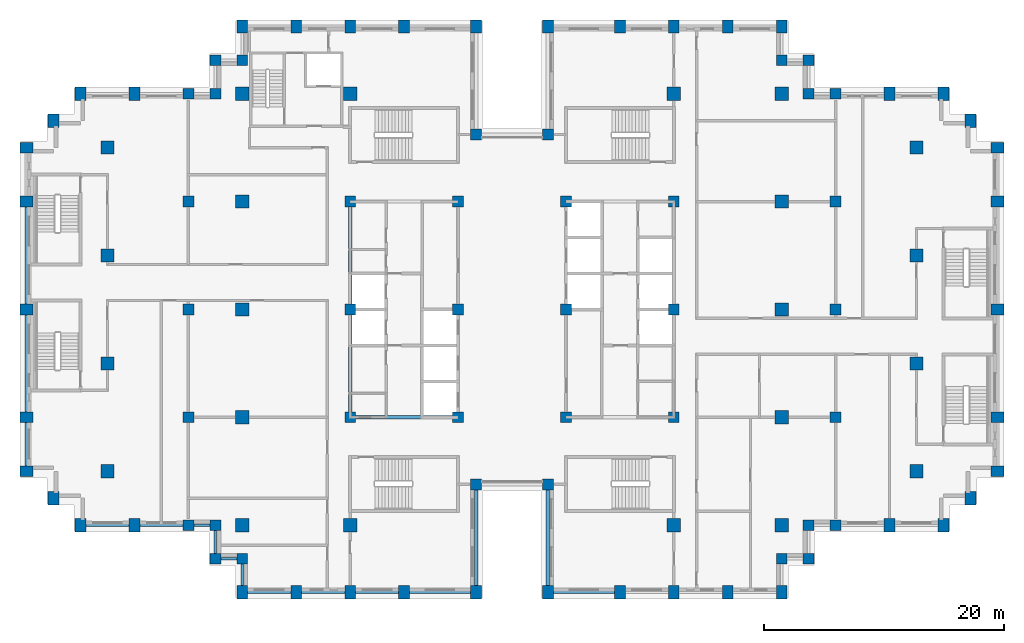
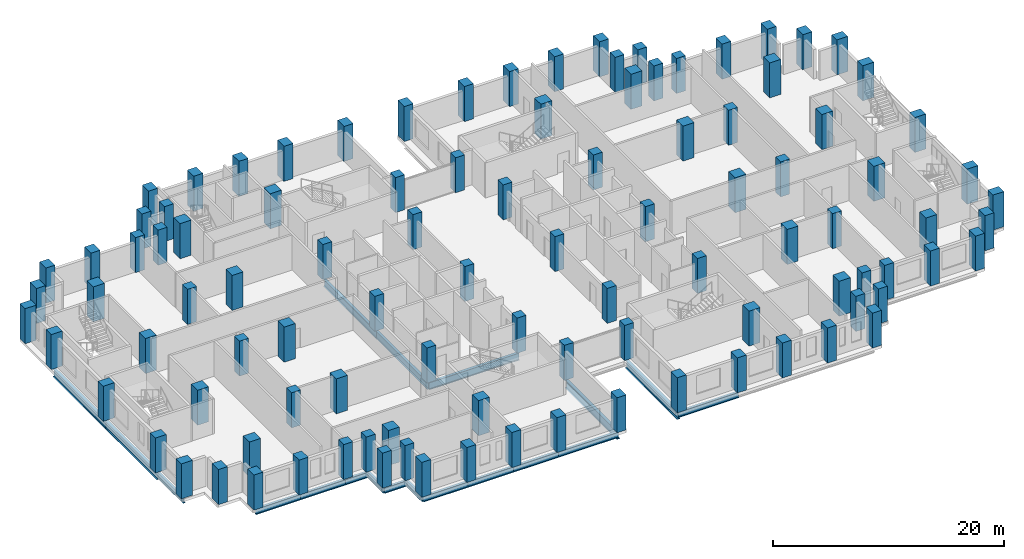
# One storey, part 1 of 15: 102 columns, 19 beams.
"""IFC4 building model written with IfcOpenShell, lengths in metres."""

import ifcopenshell
import ifcopenshell.guid

model = None  # the IFC model being written
_history = None  # IfcOwnerHistory: only IFC2X3 demands one
_inside = {}  # id of a spatial element -> (the spatial element, [elements in it])
_under = {}  # id of a project, library or spatial element -> (it, [spatial elements below it])
_declared = {}  # id of a project -> (the project, [libraries it declares])
_typed = {}  # id of a type object -> (the type object, [elements of that type])
_made_of = {}  # id of a material, layer set ... -> (it, [elements and type objects made of it])


def new_model(schema):
    """Start an empty IFC model of exactly this schema.

    Asked for "IFC4X3", IfcOpenShell would pick the latest addendum, in which some entities
    have other attributes; the version numbers below select the first issue.
    IFC2X3 requires an IfcOwnerHistory on every rooted entity: one is made here for all.
    """
    global model, _history
    if schema == "IFC4X3":
        model = ifcopenshell.file(schema_version=(4, 3, 0, 0))
    else:
        model = ifcopenshell.file(schema=schema)
    _inside.clear()
    _under.clear()
    _declared.clear()
    _typed.clear()
    _made_of.clear()
    _history = None
    if model.schema == "IFC2X3":
        org = make("IfcOrganization", Name="unknown")
        user = make(
            "IfcPersonAndOrganization",
            ThePerson=make("IfcPerson", FamilyName="unknown"),
            TheOrganization=org,
        )
        app = make(
            "IfcApplication",
            ApplicationDeveloper=org,
            Version="unknown",
            ApplicationFullName="unknown",
            ApplicationIdentifier="unknown",
        )
        _history = make(
            "IfcOwnerHistory",
            OwningUser=user,
            OwningApplication=app,
            ChangeAction="ADDED",
            CreationDate=0,
        )
    return model


def make(cls, **values):
    """One entity of the class cls with the attributes given. An attribute that is None is left unset."""
    return model.create_entity(
        cls, **{name: value for name, value in values.items() if value is not None}
    )


def rooted(cls, **values):
    """An entity with a GlobalId (a new one), such as an element, a storey or a relation."""
    return make(cls, GlobalId=ifcopenshell.guid.new(), OwnerHistory=_history, **values)


def si_unit(unit_type, name, prefix=None):
    """IfcSIUnit, for example si_unit("LENGTHUNIT", "METRE", prefix="MILLI")."""
    return make("IfcSIUnit", UnitType=unit_type, Prefix=prefix, Name=name)


def assignment(units):
    """IfcUnitAssignment: the units of a project."""
    return None if units is None else make("IfcUnitAssignment", Units=units)


def point(xyz):
    """IfcCartesianPoint."""
    return None if xyz is None else make("IfcCartesianPoint", Coordinates=xyz)


def direction(xyz):
    """IfcDirection."""
    return None if xyz is None else make("IfcDirection", DirectionRatios=xyz)


def frame(location, z_axis=None, x_axis=None):
    """IfcAxis2Placement3D, a coordinate frame: its origin and axes. An axis left out is left unset."""
    return make(
        "IfcAxis2Placement3D",
        Location=point(location),
        Axis=direction(z_axis),
        RefDirection=direction(x_axis),
    )


def frame_2d(location, x_axis=None):
    """IfcAxis2Placement2D, a coordinate frame in the plane: its origin and x axis."""
    return make(
        "IfcAxis2Placement2D", Location=point(location), RefDirection=direction(x_axis)
    )


def origin():
    """The frame at (0, 0, 0) with its axes left unset."""
    return frame((0.0, 0.0, 0.0))


def origin_2d():
    """The frame at (0, 0) in the plane with its x axis left unset."""
    return frame_2d((0.0, 0.0))


def place(relative_to, where):
    """IfcLocalPlacement: puts the frame where relative to a parent placement (None: the world)."""
    return make(
        "IfcLocalPlacement", PlacementRelTo=relative_to, RelativePlacement=where
    )


def context(
    kind, dimensions, precision=None, world=None, true_north=None, identifier=None
):
    """IfcGeometricRepresentationContext, for example the 3D "Model" context."""
    return make(
        "IfcGeometricRepresentationContext",
        ContextIdentifier=identifier,
        ContextType=kind,
        CoordinateSpaceDimension=dimensions,
        Precision=precision,
        WorldCoordinateSystem=world,
        TrueNorth=true_north,
    )


def subcontext(parent, identifier, kind, view, scale=None):
    """IfcGeometricRepresentationSubContext, for example "Body" below "Model"."""
    return make(
        "IfcGeometricRepresentationSubContext",
        ContextIdentifier=identifier,
        ContextType=kind,
        ParentContext=parent,
        TargetScale=scale,
        TargetView=view,
    )


def project(units=None, contexts=None):
    """IfcProject with its units and contexts."""
    return rooted(
        "IfcProject",
        Name="project",
        RepresentationContexts=contexts,
        UnitsInContext=assignment(units),
    )


def spatial(cls, under=None, at=None, **own):
    """A site, building, storey or space (cls), placed at a placement, below another one or the project."""
    s = rooted(cls, ObjectPlacement=at, **own)
    if under is not None:
        _under.setdefault(under.id(), (under, []))[1].append(s)
    return s


def profile(cls, at=None, kind="AREA", **sizes):
    """A parametric profile (cls). Its sizes go by their IFC names, for example OverallWidth=200.0."""
    return make(cls, ProfileType=kind, Position=at, **sizes)


def rectangle(**sizes):
    """IfcRectangleProfileDef."""
    return profile("IfcRectangleProfileDef", **sizes)


def i_section(**sizes):
    """IfcIShapeProfileDef."""
    return profile("IfcIShapeProfileDef", **sizes)


def extrude(swept, where, along, depth):
    """IfcExtrudedAreaSolid: the profile swept, set in the frame where, extruded along a direction by depth."""
    return make(
        "IfcExtrudedAreaSolid",
        SweptArea=swept,
        Position=where,
        ExtrudedDirection=direction(along),
        Depth=depth,
    )


def shape(context_of_items, identifier, shape_type, items):
    """IfcShapeRepresentation: the items that make up one representation, for example the "Body"."""
    return make(
        "IfcShapeRepresentation",
        ContextOfItems=context_of_items,
        RepresentationIdentifier=identifier,
        RepresentationType=shape_type,
        Items=items,
    )


def material(Name=None, Category=None):
    """IfcMaterial."""
    return make("IfcMaterial", Name=Name, Category=Category)


def material_profile(
    of_material, cross_section, Name=None, Category=None, Priority=None
):
    """IfcMaterialProfile: a cross section and its material."""
    return make(
        "IfcMaterialProfile",
        Name=Name,
        Material=of_material,
        Profile=cross_section,
        Priority=Priority,
        Category=Category,
    )


def profile_set(profiles, Name=None, composite=None):
    """IfcMaterialProfileSet."""
    return make(
        "IfcMaterialProfileSet",
        Name=Name,
        MaterialProfiles=profiles,
        CompositeProfile=composite,
    )


def made_of(thing, what):
    """Note that an element or type object is made of a material, layer set ...; save() writes the relation."""
    if what is not None:
        _made_of.setdefault(what.id(), (what, []))[1].append(thing)
    return thing


def type_object(cls, material=None, **own):
    """A type object (cls), such as IfcWallType, which elements share."""
    return made_of(rooted(cls, **own), material)


def element(
    cls,
    number,
    at=None,
    inside=None,
    cuts=None,
    type_object=None,
    material=None,
    context=None,
    identifier="Body",
    shape_type=None,
    held_by="IfcProductDefinitionShape",
    body=None,
    shapes=None,
    **own,
):
    """One element of the class cls, such as IfcWall. Its Tag is "e" and its number.

    at: its placement. inside: the storey or other place that contains it. cuts: it is an
    opening in that element (IfcRelVoidsElement). A single representation is given by context,
    identifier, shape_type and body (its items); several are given by shapes. held_by: the class
    of the entity that holds the representations. save() writes the other relations.
    """
    e = rooted(cls, Tag="e%d" % number, ObjectPlacement=at, **own)
    if body is not None:
        shapes = [shape(context, identifier, shape_type, body)]
    if shapes is not None:
        e.Representation = make(held_by, Representations=shapes)
    if inside is not None:
        _inside.setdefault(inside.id(), (inside, []))[1].append(e)
    if cuts is not None:
        rooted(
            "IfcRelVoidsElement", RelatingBuildingElement=cuts, RelatedOpeningElement=e
        )
    if type_object is not None:
        _typed.setdefault(type_object.id(), (type_object, []))[1].append(e)
    return made_of(e, material)


def aggregate(whole, parts):
    """IfcRelAggregates: a whole, such as a stair, and the parts it consists of."""
    return rooted("IfcRelAggregates", RelatingObject=whole, RelatedObjects=parts)


def save(model, path):
    """Write the relations noted so far, then the file.

    IfcRelAggregates (storeys below a building ...), IfcRelContainedInSpatialStructure (elements
    in a storey), IfcRelDefinesByType, IfcRelAssociatesMaterial and IfcRelDeclares: one each for
    every whole, place, type object, material and project.
    """
    for whole, parts in _under.values():
        aggregate(whole, parts)
    for where, things in _inside.values():
        rooted(
            "IfcRelContainedInSpatialStructure",
            RelatedElements=things,
            RelatingStructure=where,
        )
    for kind, things in _typed.values():
        rooted("IfcRelDefinesByType", RelatedObjects=things, RelatingType=kind)
    for what, things in _made_of.values():
        rooted("IfcRelAssociatesMaterial", RelatedObjects=things, RelatingMaterial=what)
    for by, libraries in _declared.values():
        rooted("IfcRelDeclares", RelatingContext=by, RelatedDefinitions=libraries)
    model.write(path)


model = new_model("IFC4")

# Units and contexts
model_context = context("Model", 3, precision=1e-05, world=origin(), true_north=direction((0.0, 1.0)))
body_context = subcontext(model_context, "Body", "Model", "MODEL_VIEW")
ifc_project = project(units=[si_unit("LENGTHUNIT", "METRE"), si_unit("AREAUNIT", "SQUARE_METRE"), si_unit("VOLUMEUNIT", "CUBIC_METRE"), si_unit("PLANEANGLEUNIT", "RADIAN"), si_unit("MASSUNIT", "GRAM", prefix="KILO")], contexts=[model_context])

# Site, building, storey
site_placement = place(None, origin())
site = spatial("IfcSite", under=ifc_project, at=site_placement, CompositionType="ELEMENT")
building_placement = place(site_placement, origin())
building = spatial("IfcBuilding", under=site, at=building_placement, Name="Corbelhall Arena Tower", CompositionType="ELEMENT")
storey_placement = place(building_placement, frame((0.0, 0.0, 146.0)))
storey = spatial("IfcBuildingStorey", under=building, at=storey_placement, Name="L28", CompositionType="ELEMENT", Elevation=146.0)

# Columns
ifc_material_1 = material(Name="Concrete C80/95", Category="concrete")
ifc_material_profile_1 = material_profile(ifc_material_1, rectangle(XDim=1.10009765625, YDim=1.10009765625, at=origin_2d()))
ifc_profile_set_1 = profile_set([ifc_material_profile_1], Name="Concrete C80/95")
column_type_1 = type_object("IfcColumnType", Name="ST-COL-RC 1100x1100", PredefinedType="COLUMN", material=ifc_profile_set_1)
for number, where, z_axis, x_axis, name in (
    (1, (-33.75, 4.5, 0.0), (0.0, 0.0, 1.0), (1.0, 0.0, 0.0), "Column FIC+0450"),
    (2, (-33.75, 13.5, 0.0), (0.0, 0.0, 1.0), (1.0, 0.0, 0.0), "Column FIC+1350"),
    (3, (-33.75, -4.5, 0.0), (0.0, 0.0, 1.0), (1.0, 0.0, 0.0), "Column FIC-0450"),
    (4, (-33.75, -13.5, 0.0), (0.0, 0.0, 1.0), (1.0, 0.0, 0.0), "Column FIC-1350"),
    (5, (33.75, 4.5, 0.0), (0.0, 0.0, 1.0), (1.0, 0.0, 0.0), "Column FID+0450"),
    (6, (33.75, 13.5, 0.0), (0.0, 0.0, 1.0), (1.0, 0.0, 0.0), "Column FID+1350"),
    (7, (33.75, -4.5, 0.0), (0.0, 0.0, 1.0), (1.0, 0.0, 0.0), "Column FID-0450"),
    (8, (33.75, -13.5, 0.0), (0.0, 0.0, 1.0), (1.0, 0.0, 0.0), "Column FID-1350"),
    (9, (13.5, 18.0, 0.0), (0.0, 0.0, 1.0), (1.0, 0.0, 0.0), "Column IE13+1800"),
    (10, (13.5, -18.0, 0.0), (0.0, 0.0, 1.0), (1.0, 0.0, 0.0), "Column IE13-1800"),
    (11, (22.5, 0.0, 0.0), (0.0, 0.0, 1.0), (1.0, 0.0, 0.0), "Column IE22+0000"),
    (12, (22.5, 9.0, 0.0), (0.0, 0.0, 1.0), (1.0, 0.0, 0.0), "Column IE22+0900"),
    (13, (22.5, 18.0, 0.0), (0.0, 0.0, 1.0), (1.0, 0.0, 0.0), "Column IE22+1800"),
    (14, (22.5, -9.0, 0.0), (0.0, 0.0, 1.0), (1.0, 0.0, 0.0), "Column IE22-0900"),
    (15, (22.5, -18.0, 0.0), (0.0, 0.0, 1.0), (1.0, 0.0, 0.0), "Column IE22-1800"),
    (16, (-13.5, 18.0, 0.0), (0.0, 0.0, 1.0), (1.0, 0.0, 0.0), "Column IW13+1800"),
    (17, (-13.5, -18.0, 0.0), (0.0, 0.0, 1.0), (1.0, 0.0, 0.0), "Column IW13-1800"),
    (18, (-22.5, 0.0, 0.0), (0.0, 0.0, 1.0), (1.0, 0.0, 0.0), "Column IW22+0000"),
    (19, (-22.5, 9.0, 0.0), (0.0, 0.0, 1.0), (1.0, 0.0, 0.0), "Column IW22+0900"),
    (20, (-22.5, 18.0, 0.0), (0.0, 0.0, 1.0), (1.0, 0.0, 0.0), "Column IW22+1800"),
    (21, (-22.5, -9.0, 0.0), (0.0, 0.0, 1.0), (1.0, 0.0, 0.0), "Column IW22-0900"),
    (22, (-22.5, -18.0, 0.0), (0.0, 0.0, 1.0), (1.0, 0.0, 0.0), "Column IW22-1800"),
):
    element("IfcColumn", number, at=place(storey_placement, frame(where, z_axis=z_axis, x_axis=x_axis)), inside=storey, type_object=column_type_1, Name=name, PredefinedType="COLUMN", context=body_context, shape_type="SweptSolid", body=[
        extrude(rectangle(XDim=1.10009765625, YDim=1.10009765625, at=origin_2d()), origin(), (0.0, 0.0, 1.0), 3.699951171875),
    ])
ifc_material_profile_2 = material_profile(ifc_material_1, rectangle(XDim=0.89990234375, YDim=1.10009765625, at=origin_2d()))
ifc_profile_set_2 = profile_set([ifc_material_profile_2], Name="Concrete C80/95")
column_type_2 = type_object("IfcColumnType", Name="ST-COL-RC 900x1100", PredefinedType="COLUMN", material=ifc_profile_set_2)
for number, where, z_axis, x_axis, name in (
    (23, (-40.5, 0.0, 0.0), (0.0, 0.0, 1.0), (0.0, 1.0, 0.0), "Column FC+0000"),
    (24, (-40.5, 9.0, 0.0), (0.0, 0.0, 1.0), (0.0, 1.0, 0.0), "Column FC+0900"),
    (25, (-40.5, 13.5, 0.0), (0.0, 0.0, 1.0), (0.0, 1.0, 0.0), "Column FC+1350"),
    (26, (-40.5, -9.0, 0.0), (0.0, 0.0, 1.0), (0.0, 1.0, 0.0), "Column FC-0900"),
    (27, (-40.5, -13.5, 0.0), (0.0, 0.0, 1.0), (0.0, 1.0, 0.0), "Column FC-1350"),
    (28, (-38.25, 15.75, 0.0), (0.0, 0.0, 1.0), (1.0, 0.0, 0.0), "Column FCCN"),
    (29, (-38.25, -15.75, 0.0), (0.0, 0.0, 1.0), (1.0, 0.0, 0.0), "Column FCCS"),
    (30, (-31.5, 18.0, 0.0), (0.0, 0.0, 1.0), (1.0, 0.0, 0.0), "Column FCN3150"),
    (31, (-36.0, 18.0, 0.0), (0.0, 0.0, 1.0), (1.0, 0.0, 0.0), "Column FCN3600"),
    (32, (-31.5, -18.0, 0.0), (0.0, 0.0, 1.0), (1.0, 0.0, 0.0), "Column FCS3150"),
    (33, (-36.0, -18.0, 0.0), (0.0, 0.0, 1.0), (1.0, 0.0, 0.0), "Column FCS3600"),
    (34, (40.5, 0.0, 0.0), (0.0, 0.0, 1.0), (0.0, 1.0, 0.0), "Column FD+0000"),
    (35, (40.5, 9.0, 0.0), (0.0, 0.0, 1.0), (0.0, 1.0, 0.0), "Column FD+0900"),
    (36, (40.5, 13.5, 0.0), (0.0, 0.0, 1.0), (0.0, 1.0, 0.0), "Column FD+1350"),
    (37, (40.5, -9.0, 0.0), (0.0, 0.0, 1.0), (0.0, 1.0, 0.0), "Column FD-0900"),
    (38, (40.5, -13.5, 0.0), (0.0, 0.0, 1.0), (0.0, 1.0, 0.0), "Column FD-1350"),
    (39, (38.25, 15.75, 0.0), (0.0, 0.0, 1.0), (1.0, 0.0, 0.0), "Column FDCN"),
    (40, (38.25, -15.75, 0.0), (0.0, 0.0, 1.0), (1.0, 0.0, 0.0), "Column FDCS"),
    (41, (31.5, 18.0, 0.0), (0.0, 0.0, 1.0), (1.0, 0.0, 0.0), "Column FDN3150"),
    (42, (36.0, 18.0, 0.0), (0.0, 0.0, 1.0), (1.0, 0.0, 0.0), "Column FDN3600"),
    (43, (31.5, -18.0, 0.0), (0.0, 0.0, 1.0), (1.0, 0.0, 0.0), "Column FDS3150"),
    (44, (36.0, -18.0, 0.0), (0.0, 0.0, 1.0), (1.0, 0.0, 0.0), "Column FDS3600"),
    (45, (3.0, 23.60009765625, 0.0), (0.0, 0.0, 1.0), (1.0, 0.0, 0.0), "Column PNE0300"),
    (46, (9.0, 23.60009765625, 0.0), (0.0, 0.0, 1.0), (1.0, 0.0, 0.0), "Column PNE0900"),
    (47, (13.5, 23.60009765625, 0.0), (0.0, 0.0, 1.0), (1.0, 0.0, 0.0), "Column PNE1350"),
    (48, (18.0, 23.60009765625, 0.0), (0.0, 0.0, 1.0), (1.0, 0.0, 0.0), "Column PNE1800"),
    (49, (22.5, 23.60009765625, 0.0), (0.0, 0.0, 1.0), (1.0, 0.0, 0.0), "Column PNE2250"),
    (50, (-3.0, 23.60009765625, 0.0), (0.0, 0.0, 1.0), (1.0, 0.0, 0.0), "Column PNW0300"),
    (51, (-9.0, 23.60009765625, 0.0), (0.0, 0.0, 1.0), (1.0, 0.0, 0.0), "Column PNW0900"),
    (52, (-13.5, 23.60009765625, 0.0), (0.0, 0.0, 1.0), (1.0, 0.0, 0.0), "Column PNW1350"),
    (53, (-18.0, 23.60009765625, 0.0), (0.0, 0.0, 1.0), (1.0, 0.0, 0.0), "Column PNW1800"),
    (54, (-22.5, 23.60009765625, 0.0), (0.0, 0.0, 1.0), (1.0, 0.0, 0.0), "Column PNW2250"),
    (55, (3.0, -23.60009765625, 0.0), (0.0, 0.0, 1.0), (1.0, 0.0, 0.0), "Column PSE0300"),
    (56, (9.0, -23.60009765625, 0.0), (0.0, 0.0, 1.0), (1.0, 0.0, 0.0), "Column PSE0900"),
    (57, (13.5, -23.60009765625, 0.0), (0.0, 0.0, 1.0), (1.0, 0.0, 0.0), "Column PSE1350"),
    (58, (18.0, -23.60009765625, 0.0), (0.0, 0.0, 1.0), (1.0, 0.0, 0.0), "Column PSE1800"),
    (59, (22.5, -23.60009765625, 0.0), (0.0, 0.0, 1.0), (1.0, 0.0, 0.0), "Column PSE2250"),
    (60, (-3.0, -23.60009765625, 0.0), (0.0, 0.0, 1.0), (1.0, 0.0, 0.0), "Column PSW0300"),
    (61, (-9.0, -23.60009765625, 0.0), (0.0, 0.0, 1.0), (1.0, 0.0, 0.0), "Column PSW0900"),
    (62, (-13.5, -23.60009765625, 0.0), (0.0, 0.0, 1.0), (1.0, 0.0, 0.0), "Column PSW1350"),
    (63, (-18.0, -23.60009765625, 0.0), (0.0, 0.0, 1.0), (1.0, 0.0, 0.0), "Column PSW1800"),
    (64, (-22.5, -23.60009765625, 0.0), (0.0, 0.0, 1.0), (1.0, 0.0, 0.0), "Column PSW2250"),
):
    element("IfcColumn", number, at=place(storey_placement, frame(where, z_axis=z_axis, x_axis=x_axis)), inside=storey, type_object=column_type_2, Name=name, PredefinedType="COLUMN", context=body_context, shape_type="SweptSolid", body=[
        extrude(rectangle(XDim=0.89990234375, YDim=1.10009765625, at=origin_2d()), origin(), (0.0, 0.0, 1.0), 3.699951171875),
    ])
ifc_material_profile_3 = material_profile(ifc_material_1, rectangle(XDim=0.89990234375, YDim=0.89990234375, at=origin_2d()))
ifc_profile_set_3 = profile_set([ifc_material_profile_3], Name="Concrete C80/95")
column_type_3 = type_object("IfcColumnType", Name="ST-COL-RC 900x900", PredefinedType="COLUMN", material=ifc_profile_set_3)
for number, where, z_axis, x_axis, name in (
    (65, (4.5, 0.0, 0.0), (0.0, 0.0, 1.0), (1.0, 0.0, 0.0), "Column KE+0450+0000"),
    (66, (4.5, 9.0, 0.0), (0.0, 0.0, 1.0), (1.0, 0.0, 0.0), "Column KE+0450+0900"),
    (67, (4.5, -9.0, 0.0), (0.0, 0.0, 1.0), (1.0, 0.0, 0.0), "Column KE+0450-0900"),
    (68, (13.5, 0.0, 0.0), (0.0, 0.0, 1.0), (1.0, 0.0, 0.0), "Column KE+1350+0000"),
    (69, (13.5, 9.0, 0.0), (0.0, 0.0, 1.0), (1.0, 0.0, 0.0), "Column KE+1350+0900"),
    (70, (13.5, -9.0, 0.0), (0.0, 0.0, 1.0), (1.0, 0.0, 0.0), "Column KE+1350-0900"),
    (71, (-4.5, 0.0, 0.0), (0.0, 0.0, 1.0), (1.0, 0.0, 0.0), "Column KW-0450+0000"),
    (72, (-4.5, 9.0, 0.0), (0.0, 0.0, 1.0), (1.0, 0.0, 0.0), "Column KW-0450+0900"),
    (73, (-4.5, -9.0, 0.0), (0.0, 0.0, 1.0), (1.0, 0.0, 0.0), "Column KW-0450-0900"),
    (74, (-13.5, 0.0, 0.0), (0.0, 0.0, 1.0), (1.0, 0.0, 0.0), "Column KW-1350+0000"),
    (75, (-13.5, 9.0, 0.0), (0.0, 0.0, 1.0), (1.0, 0.0, 0.0), "Column KW-1350+0900"),
    (76, (-13.5, -9.0, 0.0), (0.0, 0.0, 1.0), (1.0, 0.0, 0.0), "Column KW-1350-0900"),
    (77, (27.0, 0.0, 0.0), (0.0, 0.0, 1.0), (1.0, 0.0, 0.0), "Column PE+0000"),
    (78, (27.0, 9.0, 0.0), (0.0, 0.0, 1.0), (1.0, 0.0, 0.0), "Column PE+0900"),
    (79, (27.0, 18.0, 0.0), (0.0, 0.0, 1.0), (1.0, 0.0, 0.0), "Column PE+1800"),
    (80, (27.0, -9.0, 0.0), (0.0, 0.0, 1.0), (1.0, 0.0, 0.0), "Column PE-0900"),
    (81, (27.0, -18.0, 0.0), (0.0, 0.0, 1.0), (1.0, 0.0, 0.0), "Column PE-1800"),
    (82, (-27.0, 0.0, 0.0), (0.0, 0.0, 1.0), (1.0, 0.0, 0.0), "Column PW+0000"),
    (83, (-27.0, 9.0, 0.0), (0.0, 0.0, 1.0), (1.0, 0.0, 0.0), "Column PW+0900"),
    (84, (-27.0, 18.0, 0.0), (0.0, 0.0, 1.0), (1.0, 0.0, 0.0), "Column PW+1800"),
    (85, (-27.0, -9.0, 0.0), (0.0, 0.0, 1.0), (1.0, 0.0, 0.0), "Column PW-0900"),
    (86, (-27.0, -18.0, 0.0), (0.0, 0.0, 1.0), (1.0, 0.0, 0.0), "Column PW-1800"),
    (87, (3.0, 14.60009765625, 0.0), (0.0, 0.0, 1.0), (1.0, 0.0, 0.0), "Column SLNE2"),
    (88, (-3.0, 14.60009765625, 0.0), (0.0, 0.0, 1.0), (1.0, 0.0, 0.0), "Column SLNW2"),
    (89, (3.0, -14.60009765625, 0.0), (0.0, 0.0, 1.0), (1.0, 0.0, 0.0), "Column SLSE2"),
    (90, (-3.0, -14.60009765625, 0.0), (0.0, 0.0, 1.0), (1.0, 0.0, 0.0), "Column SLSW2"),
    (91, (22.5, 20.800048828125, 0.0), (0.0, 0.0, 1.0), (1.0, 0.0, 0.0), "Column XNE1"),
    (92, (24.75, 20.800048828125, 0.0), (0.0, 0.0, 1.0), (1.0, 0.0, 0.0), "Column XNE2"),
    (93, (24.75, 18.0, 0.0), (0.0, 0.0, 1.0), (1.0, 0.0, 0.0), "Column XNE3"),
    (94, (-22.5, 20.800048828125, 0.0), (0.0, 0.0, 1.0), (1.0, 0.0, 0.0), "Column XNW1"),
    (95, (-24.75, 20.800048828125, 0.0), (0.0, 0.0, 1.0), (1.0, 0.0, 0.0), "Column XNW2"),
    (96, (-24.75, 18.0, 0.0), (0.0, 0.0, 1.0), (1.0, 0.0, 0.0), "Column XNW3"),
    (97, (22.5, -20.800048828125, 0.0), (0.0, 0.0, 1.0), (1.0, 0.0, 0.0), "Column XSE1"),
    (98, (24.75, -20.800048828125, 0.0), (0.0, 0.0, 1.0), (1.0, 0.0, 0.0), "Column XSE2"),
    (99, (24.75, -18.0, 0.0), (0.0, 0.0, 1.0), (1.0, 0.0, 0.0), "Column XSE3"),
    (100, (-22.5, -20.800048828125, 0.0), (0.0, 0.0, 1.0), (1.0, 0.0, 0.0), "Column XSW1"),
    (101, (-24.75, -20.800048828125, 0.0), (0.0, 0.0, 1.0), (1.0, 0.0, 0.0), "Column XSW2"),
    (102, (-24.75, -18.0, 0.0), (0.0, 0.0, 1.0), (1.0, 0.0, 0.0), "Column XSW3"),
):
    element("IfcColumn", number, at=place(storey_placement, frame(where, z_axis=z_axis, x_axis=x_axis)), inside=storey, type_object=column_type_3, Name=name, PredefinedType="COLUMN", context=body_context, shape_type="SweptSolid", body=[
        extrude(rectangle(XDim=0.89990234375, YDim=0.89990234375, at=origin_2d()), origin(), (0.0, 0.0, 1.0), 3.699951171875),
    ])

# Beams
ifc_material_2 = material(Name="Steel ASTM A992 Gr50", Category="steel")
ifc_material_profile_4 = material_profile(ifc_material_2, i_section(OverallWidth=0.2666015625, OverallDepth=0.761962890625, WebThickness=0.014404296875, FlangeThickness=0.021484375, at=origin_2d()))
ifc_profile_set_4 = profile_set([ifc_material_profile_4], Name="Steel ASTM A992 Gr50")
beam_type_1 = type_object("IfcBeamType", Name="ST-BEAM-W30x116", PredefinedType="BEAM", material=ifc_profile_set_4)
for number, where, z_axis, x_axis, name in (
    (103, (-13.5, -9.0, -0.680908203125), (0.0, 1.0, 0.0), (-1.0, 0.0, 0.0), "Beam CEW 1"),
    (104, (-13.5, 0.0, -0.680908203125), (0.0, 1.0, 0.0), (-1.0, 0.0, 0.0), "Beam CEW 2"),
    (105, (-13.5, -9.0, -0.680908203125), (1.0, 0.0, 0.0), (0.0, 1.0, 0.0), "Beam CEW 5"),
):
    element("IfcBeam", number, at=place(storey_placement, frame(where, z_axis=z_axis, x_axis=x_axis)), inside=storey, type_object=beam_type_1, Name=name, PredefinedType="BEAM", context=body_context, shape_type="SweptSolid", body=[
        extrude(i_section(OverallWidth=0.2666015625, OverallDepth=0.761962890625, WebThickness=0.014404296875, FlangeThickness=0.021484375, at=origin_2d()), origin(), (0.0, 0.0, 1.0), 9.0),
    ])
ifc_material_profile_5 = material_profile(ifc_material_2, i_section(OverallWidth=0.22900390625, OverallDepth=0.612060546875, WebThickness=0.011962890625, FlangeThickness=0.01953125, at=origin_2d()))
ifc_profile_set_5 = profile_set([ifc_material_profile_5], Name="Steel ASTM A992 Gr50")
beam_type_2 = type_object("IfcBeamType", Name="ST-SPANDREL-W24x84", PredefinedType="SPANDREL", material=ifc_profile_set_5)
for number, where, z_axis, x_axis, name in (
    (106, (-40.5, -13.5, -0.60595703125), (0.0, 1.0, 0.0), (-1.0, 0.0, 0.0), "Beam SP 4"),
    (107, (-31.5, -18.0, -0.60595703125), (-1.0, 0.0, 0.0), (0.0, -1.0, 0.0), "Beam SP 7"),
):
    element("IfcBeam", number, at=place(storey_placement, frame(where, z_axis=z_axis, x_axis=x_axis)), inside=storey, type_object=beam_type_2, Name=name, PredefinedType="SPANDREL", context=body_context, shape_type="SweptSolid", body=[
        extrude(i_section(OverallWidth=0.22900390625, OverallDepth=0.612060546875, WebThickness=0.011962890625, FlangeThickness=0.01953125, at=origin_2d()), origin(), (0.0, 0.0, 1.0), 4.5),
    ])
for number, where, z_axis, x_axis, name in (
    (108, (9.0, -23.60009765625, -0.60595703125), (-1.0, 0.0, 0.0), (0.0, -1.0, 0.0), "Beam SP 28"),
    (109, (-3.0, -23.60009765625, -0.60595703125), (-1.0, 0.0, 0.0), (0.0, -1.0, 0.0), "Beam SP 32"),
):
    element("IfcBeam", number, at=place(storey_placement, frame(where, z_axis=z_axis, x_axis=x_axis)), inside=storey, type_object=beam_type_2, Name=name, PredefinedType="SPANDREL", context=body_context, shape_type="SweptSolid", body=[
        extrude(i_section(OverallWidth=0.22900390625, OverallDepth=0.612060546875, WebThickness=0.011962890625, FlangeThickness=0.01953125, at=origin_2d()), origin(), (0.0, 0.0, 1.0), 6.0),
    ])
for number, where, z_axis, x_axis, name in (
    (110, (-9.0, -23.60009765625, -0.60595703125), (-1.0, 0.0, 0.0), (0.0, -1.0, 0.0), "Beam SP 33"),
    (111, (-13.5, -23.60009765625, -0.60595703125), (-1.0, 0.0, 0.0), (0.0, -1.0, 0.0), "Beam SP 34"),
    (112, (-18.0, -23.60009765625, -0.60595703125), (-1.0, 0.0, 0.0), (0.0, -1.0, 0.0), "Beam SP 35"),
):
    element("IfcBeam", number, at=place(storey_placement, frame(where, z_axis=z_axis, x_axis=x_axis)), inside=storey, type_object=beam_type_2, Name=name, PredefinedType="SPANDREL", context=body_context, shape_type="SweptSolid", body=[
        extrude(i_section(OverallWidth=0.22900390625, OverallDepth=0.612060546875, WebThickness=0.011962890625, FlangeThickness=0.01953125, at=origin_2d()), origin(), (0.0, 0.0, 1.0), 4.5),
    ])
beam_1_placement = place(storey_placement, frame((-22.5, -23.60009765625, -0.60595703125), z_axis=(0.0, 1.0, 0.0), x_axis=(-1.0, 0.0, 0.0)))
element("IfcBeam", 113, at=beam_1_placement, inside=storey, type_object=beam_type_2, Name="Beam SP 36", PredefinedType="SPANDREL", context=body_context, shape_type="SweptSolid", body=[
    extrude(i_section(OverallWidth=0.22900390625, OverallDepth=0.612060546875, WebThickness=0.011962890625, FlangeThickness=0.01953125, at=origin_2d()), origin(), (0.0, 0.0, 1.0), 2.800048828125),
])
beam_2_placement = place(storey_placement, frame((-27.0, -18.0, -0.60595703125), z_axis=(-1.0, 0.0, 0.0), x_axis=(0.0, -1.0, 0.0)))
element("IfcBeam", 114, at=beam_2_placement, inside=storey, type_object=beam_type_2, Name="Beam SP 38", PredefinedType="SPANDREL", context=body_context, shape_type="SweptSolid", body=[
    extrude(i_section(OverallWidth=0.22900390625, OverallDepth=0.612060546875, WebThickness=0.011962890625, FlangeThickness=0.01953125, at=origin_2d()), origin(), (0.0, 0.0, 1.0), 4.5),
])
beam_3_placement = place(storey_placement, frame((-22.5, -20.800048828125, -0.60595703125), z_axis=(-1.0, 0.0, 0.0), x_axis=(0.0, -1.0, 0.0)))
element("IfcBeam", 115, at=beam_3_placement, inside=storey, type_object=beam_type_2, Name="Beam SP 52", PredefinedType="SPANDREL", context=body_context, shape_type="SweptSolid", body=[
    extrude(i_section(OverallWidth=0.22900390625, OverallDepth=0.612060546875, WebThickness=0.011962890625, FlangeThickness=0.01953125, at=origin_2d()), origin(), (0.0, 0.0, 1.0), 2.25),
])
beam_4_placement = place(storey_placement, frame((-24.75, -20.800048828125, -0.60595703125), z_axis=(0.0, 1.0, 0.0), x_axis=(-1.0, 0.0, 0.0)))
element("IfcBeam", 116, at=beam_4_placement, inside=storey, type_object=beam_type_2, Name="Beam SP 53", PredefinedType="SPANDREL", context=body_context, shape_type="SweptSolid", body=[
    extrude(i_section(OverallWidth=0.22900390625, OverallDepth=0.612060546875, WebThickness=0.011962890625, FlangeThickness=0.01953125, at=origin_2d()), origin(), (0.0, 0.0, 1.0), 2.800048828125),
])
beam_5_placement = place(storey_placement, frame((-24.75, -18.0, -0.60595703125), z_axis=(-1.0, 0.0, 0.0), x_axis=(0.0, -1.0, 0.0)))
element("IfcBeam", 117, at=beam_5_placement, inside=storey, type_object=beam_type_2, Name="Beam SP 54", PredefinedType="SPANDREL", context=body_context, shape_type="SweptSolid", body=[
    extrude(i_section(OverallWidth=0.22900390625, OverallDepth=0.612060546875, WebThickness=0.011962890625, FlangeThickness=0.01953125, at=origin_2d()), origin(), (0.0, 0.0, 1.0), 2.25),
])
ifc_material_profile_6 = material_profile(ifc_material_2, i_section(OverallWidth=0.2919921875, OverallDepth=0.845703125, WebThickness=0.015380859375, FlangeThickness=0.0244140625, at=origin_2d()))
ifc_profile_set_6 = profile_set([ifc_material_profile_6], Name="Steel ASTM A992 Gr50")
beam_type_3 = type_object("IfcBeamType", Name="ST-SPANDREL-W33x141", PredefinedType="SPANDREL", material=ifc_profile_set_6)
for number, where, z_axis, x_axis, name in (
    (118, (-40.5, 0.0, -0.722900390625), (0.0, 1.0, 0.0), (-1.0, 0.0, 0.0), "Beam SP 1"),
    (119, (-40.5, -9.0, -0.722900390625), (0.0, 1.0, 0.0), (-1.0, 0.0, 0.0), "Beam SP 3"),
    (120, (3.0, -23.60009765625, -0.722900390625), (0.0, 1.0, 0.0), (-1.0, 0.0, 0.0), "Beam SP 27"),
    (121, (-3.0, -14.60009765625, -0.722900390625), (0.0, -1.0, 0.0), (1.0, 0.0, 0.0), "Beam SP 42"),
):
    element("IfcBeam", number, at=place(storey_placement, frame(where, z_axis=z_axis, x_axis=x_axis)), inside=storey, type_object=beam_type_3, Name=name, PredefinedType="SPANDREL", context=body_context, shape_type="SweptSolid", body=[
        extrude(i_section(OverallWidth=0.2919921875, OverallDepth=0.845703125, WebThickness=0.015380859375, FlangeThickness=0.0244140625, at=origin_2d()), origin(), (0.0, 0.0, 1.0), 9.0),
    ])

save(model, "model.ifc")
